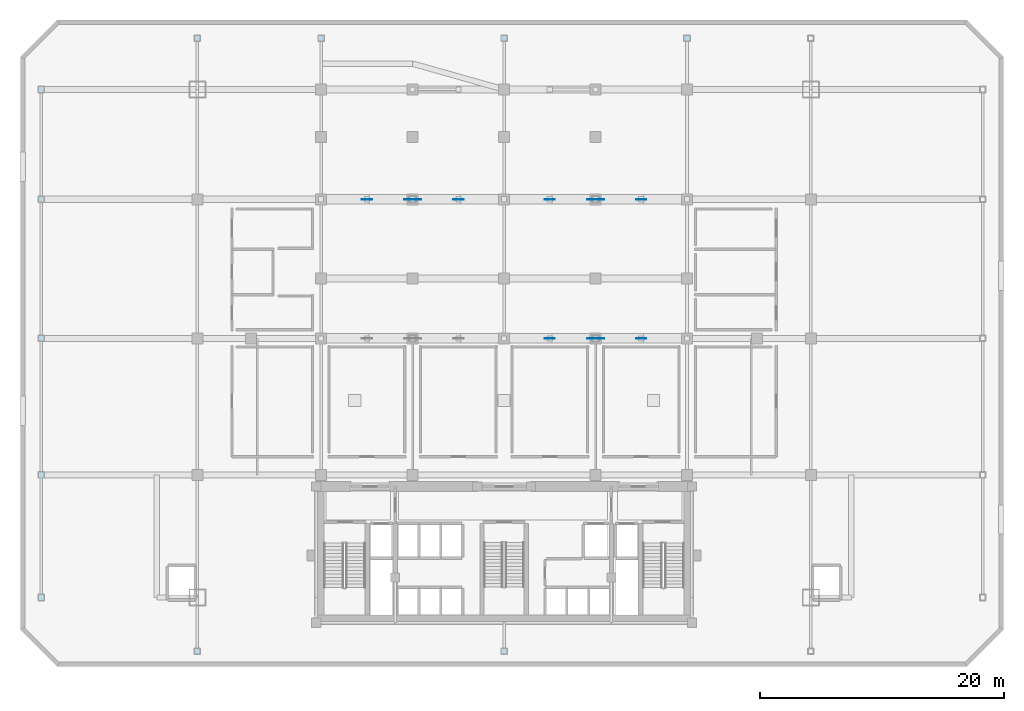
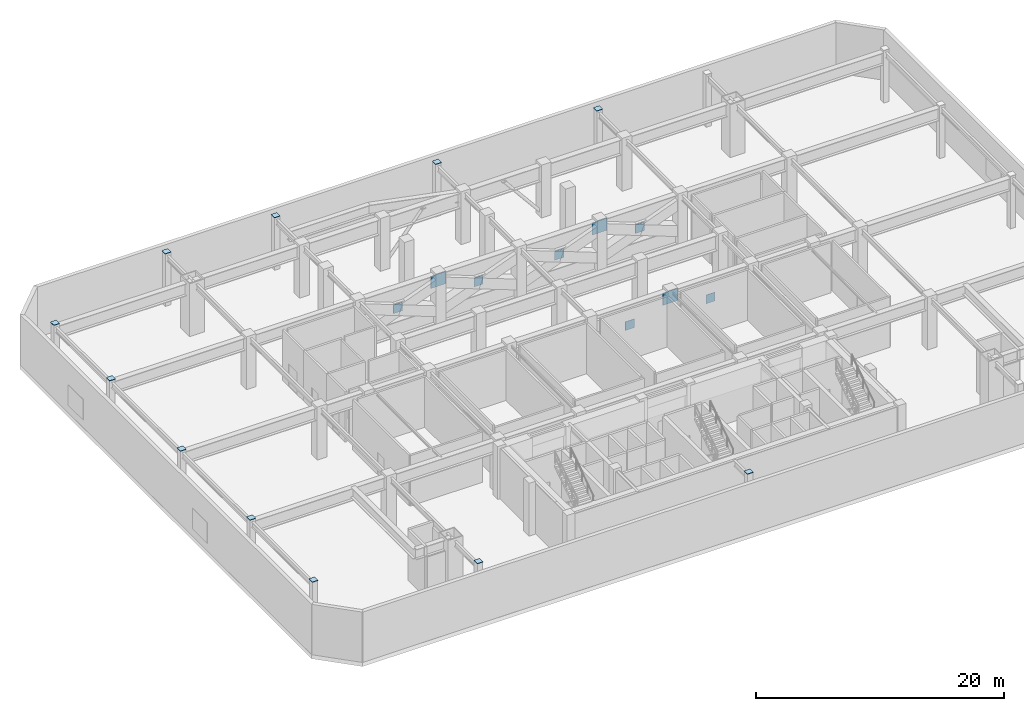
# One storey, part 7 of 14: 20 plates.
"""IFC4 building model written with IfcOpenShell, lengths in metres."""

from ifc_helpers import new_model, si_unit, direction, frame, origin, origin_2d, place, context, subcontext, project, spatial, rectangle, extrude, material, layer, layer_set, type_object, element, save


model = new_model("IFC4")

# Units and contexts
model_context = context("Model", 3, precision=1e-05, world=origin(), true_north=direction((0.0, 1.0)))
body_context = subcontext(model_context, "Body", "Model", "MODEL_VIEW")
ifc_project = project(units=[si_unit("LENGTHUNIT", "METRE"), si_unit("AREAUNIT", "SQUARE_METRE"), si_unit("VOLUMEUNIT", "CUBIC_METRE"), si_unit("PLANEANGLEUNIT", "RADIAN"), si_unit("MASSUNIT", "GRAM", prefix="KILO")], contexts=[model_context])

# Site, building, storey
site_placement = place(None, origin())
site = spatial("IfcSite", under=ifc_project, at=site_placement, CompositionType="ELEMENT")
building_placement = place(site_placement, origin())
building = spatial("IfcBuilding", under=site, at=building_placement, Name="Ventersveld Concourse Tower", CompositionType="ELEMENT")
storey_placement = place(building_placement, frame((0.0, 0.0, 24.60009765625)))
storey = spatial("IfcBuildingStorey", under=building, at=storey_placement, Name="L05", CompositionType="ELEMENT", Elevation=24.60009765625)

# Plates
ifc_material = material(Name="Structural steel S355J2", Category="steel")
ifc_layer_1 = layer(ifc_material, 0.0400390625)
ifc_layer_set_1 = layer_set([ifc_layer_1], Name="Structural steel S355J2")
plate_type_1 = type_object("IfcPlateType", Name="PL-GUSSET-40", PredefinedType="USERDEFINED", material=ifc_layer_set_1)
for number, where, z_axis, x_axis, name in (
    (1, (32.5, 23.60009765625, 2.349853515625), (0.0, 0.0, 1.0), (1.0, 0.0, 0.0), "L05 Transfer Truss X-Crossing Gusset Plate YD-P3"),
    (2, (40.0, 23.60009765625, 2.349853515625), (0.0, 0.0, 1.0), (1.0, 0.0, 0.0), "L05 Transfer Truss X-Crossing Gusset Plate YD-P4"),
):
    element("IfcPlate", number, at=place(storey_placement, frame(where, z_axis=z_axis, x_axis=x_axis)), inside=storey, type_object=plate_type_1, Name=name, ObjectType="GUSSET_PLATE", PredefinedType="USERDEFINED", context=body_context, shape_type="SweptSolid", body=[
        extrude(rectangle(XDim=0.85009765625, YDim=0.0400390625, at=origin_2d()), origin(), (0.0, 0.0, 1.0), 0.85009765625),
    ])
plate_placement = place(storey_placement, frame((36.25, 23.60009765625, 3.60009765625), z_axis=(0.0, 0.0, 1.0), x_axis=(1.0, 0.0, 0.0)))
element("IfcPlate", 3, at=plate_placement, inside=storey, type_object=plate_type_1, Name="L05 Transfer Truss Node Gusset Plate YD-36", ObjectType="GUSSET_PLATE", PredefinedType="USERDEFINED", context=body_context, shape_type="SweptSolid", body=[
    extrude(rectangle(XDim=1.39990234375, YDim=0.0400390625, at=origin_2d()), origin(), (0.0, 0.0, 1.0), 1.199951171875),
])
for number, where, z_axis, x_axis, name in (
    (4, (17.5, 35.0, 2.349853515625), (0.0, 0.0, 1.0), (1.0, 0.0, 0.0), "L05 Transfer Truss X-Crossing Gusset Plate YE-P1"),
    (5, (25.0, 35.0, 2.349853515625), (0.0, 0.0, 1.0), (1.0, 0.0, 0.0), "L05 Transfer Truss X-Crossing Gusset Plate YE-P2"),
    (6, (32.5, 35.0, 2.349853515625), (0.0, 0.0, 1.0), (1.0, 0.0, 0.0), "L05 Transfer Truss X-Crossing Gusset Plate YE-P3"),
    (7, (40.0, 35.0, 2.349853515625), (0.0, 0.0, 1.0), (1.0, 0.0, 0.0), "L05 Transfer Truss X-Crossing Gusset Plate YE-P4"),
):
    element("IfcPlate", number, at=place(storey_placement, frame(where, z_axis=z_axis, x_axis=x_axis)), inside=storey, type_object=plate_type_1, Name=name, ObjectType="GUSSET_PLATE", PredefinedType="USERDEFINED", context=body_context, shape_type="SweptSolid", body=[
        extrude(rectangle(XDim=0.85009765625, YDim=0.0400390625, at=origin_2d()), origin(), (0.0, 0.0, 1.0), 0.85009765625),
    ])
for number, where, z_axis, x_axis, name in (
    (8, (21.25, 35.0, 3.60009765625), (0.0, 0.0, 1.0), (1.0, 0.0, 0.0), "L05 Transfer Truss Node Gusset Plate YE-21"),
    (9, (36.25, 35.0, 3.60009765625), (0.0, 0.0, 1.0), (1.0, 0.0, 0.0), "L05 Transfer Truss Node Gusset Plate YE-36"),
):
    element("IfcPlate", number, at=place(storey_placement, frame(where, z_axis=z_axis, x_axis=x_axis)), inside=storey, type_object=plate_type_1, Name=name, ObjectType="GUSSET_PLATE", PredefinedType="USERDEFINED", context=body_context, shape_type="SweptSolid", body=[
        extrude(rectangle(XDim=1.39990234375, YDim=0.0400390625, at=origin_2d()), origin(), (0.0, 0.0, 1.0), 1.199951171875),
    ])
ifc_layer_2 = layer(ifc_material, 0.050048828125)
ifc_layer_set_2 = layer_set([ifc_layer_2], Name="Structural steel S355J2")
plate_type_2 = type_object("IfcPlateType", Name="PL-MAST-BASE-50", PredefinedType="USERDEFINED", material=ifc_layer_set_2)
for number, where, z_axis, x_axis, name in (
    (10, (-9.199951171875, 2.35009765625, 5.14990234375), (0.0, 0.0, 1.0), (1.0, 0.0, 0.0), "L05 Hollow Column Steel End Cap Plate 001"),
    (11, (-9.199951171875, 12.39990234375, 5.14990234375), (0.0, 0.0, 1.0), (1.0, 0.0, 0.0), "L05 Hollow Column Steel End Cap Plate 002"),
    (12, (-9.199951171875, 23.60009765625, 5.14990234375), (0.0, 0.0, 1.0), (1.0, 0.0, 0.0), "L05 Hollow Column Steel End Cap Plate 003"),
    (13, (-9.199951171875, 35.0, 5.14990234375), (0.0, 0.0, 1.0), (1.0, 0.0, 0.0), "L05 Hollow Column Steel End Cap Plate 004"),
    (14, (-9.199951171875, 44.0, 5.14990234375), (0.0, 0.0, 1.0), (1.0, 0.0, 0.0), "L05 Hollow Column Steel End Cap Plate 005"),
    (15, (3.60009765625, 48.199951171875, 5.14990234375), (0.0, 0.0, 1.0), (1.0, 0.0, 0.0), "L05 Hollow Column Steel End Cap Plate 011"),
    (16, (13.75, 48.199951171875, 5.14990234375), (0.0, 0.0, 1.0), (1.0, 0.0, 0.0), "L05 Hollow Column Steel End Cap Plate 012"),
    (17, (28.75, 48.199951171875, 5.14990234375), (0.0, 0.0, 1.0), (1.0, 0.0, 0.0), "L05 Hollow Column Steel End Cap Plate 013"),
    (18, (43.75, 48.199951171875, 5.14990234375), (0.0, 0.0, 1.0), (1.0, 0.0, 0.0), "L05 Hollow Column Steel End Cap Plate 014"),
    (19, (3.60009765625, -2.050048828125, 5.14990234375), (0.0, 0.0, 1.0), (1.0, 0.0, 0.0), "L05 Hollow Column Steel End Cap Plate 016"),
    (20, (28.75, -2.050048828125, 5.14990234375), (0.0, 0.0, 1.0), (1.0, 0.0, 0.0), "L05 Hollow Column Steel End Cap Plate 017"),
):
    element("IfcPlate", number, at=place(storey_placement, frame(where, z_axis=z_axis, x_axis=x_axis)), inside=storey, type_object=plate_type_2, Name=name, ObjectType="GUSSET_PLATE", PredefinedType="USERDEFINED", context=body_context, shape_type="SweptSolid", body=[
        extrude(rectangle(XDim=0.5400390625, YDim=0.5400390625, at=origin_2d()), origin(), (0.0, 0.0, 1.0), 0.050048828125),
    ])

save(model, "model.ifc")
